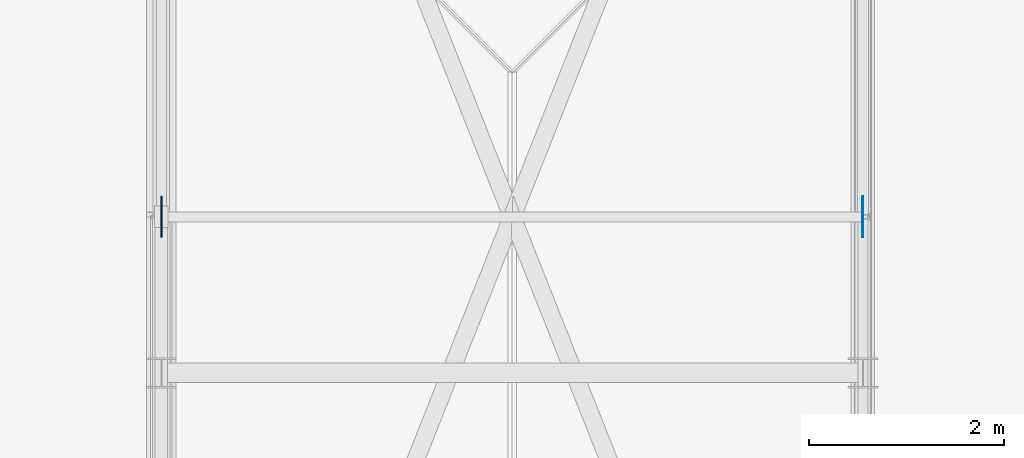
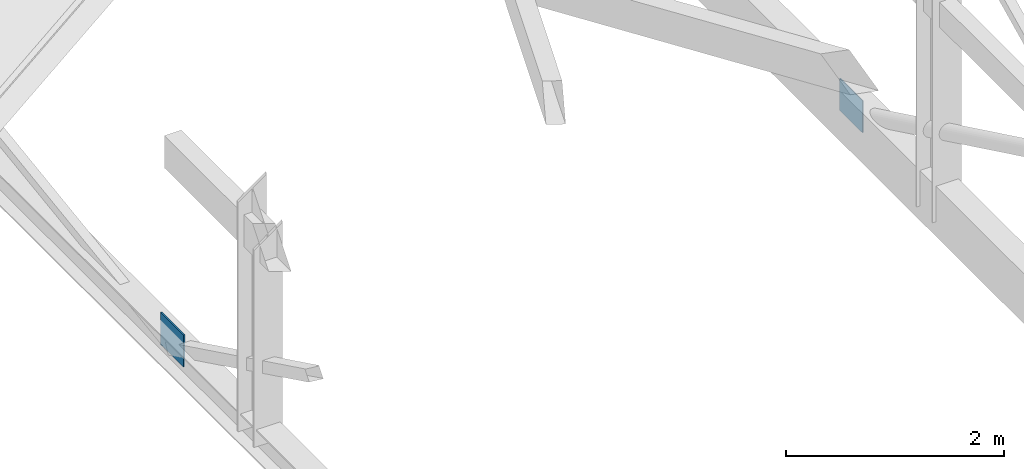
# One storey, part 31 of 51: 2 plates.
"""IFC4 building model written with IfcOpenShell, lengths in metres."""

from ifc_helpers import new_model, si_unit, direction, frame, origin, origin_2d, place, context, subcontext, project, spatial, rectangle, extrude, material, layer, layer_set, type_object, element, save


model = new_model("IFC4")

# Units and contexts
model_context = context("Model", 3, precision=1e-05, world=origin(), true_north=direction((0.0, 1.0)))
body_context = subcontext(model_context, "Body", "Model", "MODEL_VIEW")
ifc_project = project(units=[si_unit("LENGTHUNIT", "METRE"), si_unit("AREAUNIT", "SQUARE_METRE"), si_unit("VOLUMEUNIT", "CUBIC_METRE"), si_unit("PLANEANGLEUNIT", "RADIAN"), si_unit("MASSUNIT", "GRAM", prefix="KILO")], contexts=[model_context])

# Site, building, storey
site_placement = place(None, origin())
site = spatial("IfcSite", under=ifc_project, at=site_placement, CompositionType="ELEMENT")
building_placement = place(site_placement, origin())
building = spatial("IfcBuilding", under=site, at=building_placement, Name="Steenspoor Specialist Clinic", CompositionType="ELEMENT")
storey_placement = place(building_placement, frame((0.0, 0.0, 17.39990234375)))
storey = spatial("IfcBuildingStorey", under=building, at=storey_placement, Name="L04", CompositionType="ELEMENT", Elevation=17.39990234375)

# Plates
ifc_material = material(Name="Steel A572 Grade 50", Category="steel")
ifc_layer_1 = layer(ifc_material, 0.010009765625)
ifc_layer_set_1 = layer_set([ifc_layer_1], Name="Steel A572 Grade 50")
plate_type_1 = type_object("IfcPlateType", Name="PL-CAP-10", PredefinedType="SHEET", material=ifc_layer_set_1)
plate_1_placement = place(storey_placement, frame((44.39990234375, 99.27490234375, 0.2001953125), z_axis=(0.0, 0.0, 1.0), x_axis=(1.0, 0.0, 0.0)))
element("IfcPlate", 1, at=plate_1_placement, inside=storey, type_object=plate_type_1, Name="Truss Gusset Plate GP-10", PredefinedType="SHEET", context=body_context, shape_type="SweptSolid", body=[
    extrude(rectangle(XDim=0.010009765625, YDim=0.419921875, at=origin_2d()), origin(), (0.0, 0.0, 1.0), 0.360107421875),
])
ifc_layer_2 = layer(ifc_material, 0.01611328125)
ifc_layer_set_2 = layer_set([ifc_layer_2], Name="Steel A572 Grade 50")
plate_type_2 = type_object("IfcPlateType", Name="PL-GUS-16", PredefinedType="SHEET", material=ifc_layer_set_2)
plate_2_placement = place(storey_placement, frame((37.199951171875, 99.27490234375, 0.0966796875), z_axis=(0.0, 0.0, 1.0), x_axis=(1.0, 0.0, 0.0)))
element("IfcPlate", 2, at=plate_2_placement, inside=storey, type_object=plate_type_2, Name="Truss Gusset Plate GP-16", PredefinedType="SHEET", context=body_context, shape_type="SweptSolid", body=[
    extrude(rectangle(XDim=0.01611328125, YDim=0.419921875, at=origin_2d()), origin(), (0.0, 0.0, 1.0), 0.360107421875),
])

save(model, "model.ifc")
